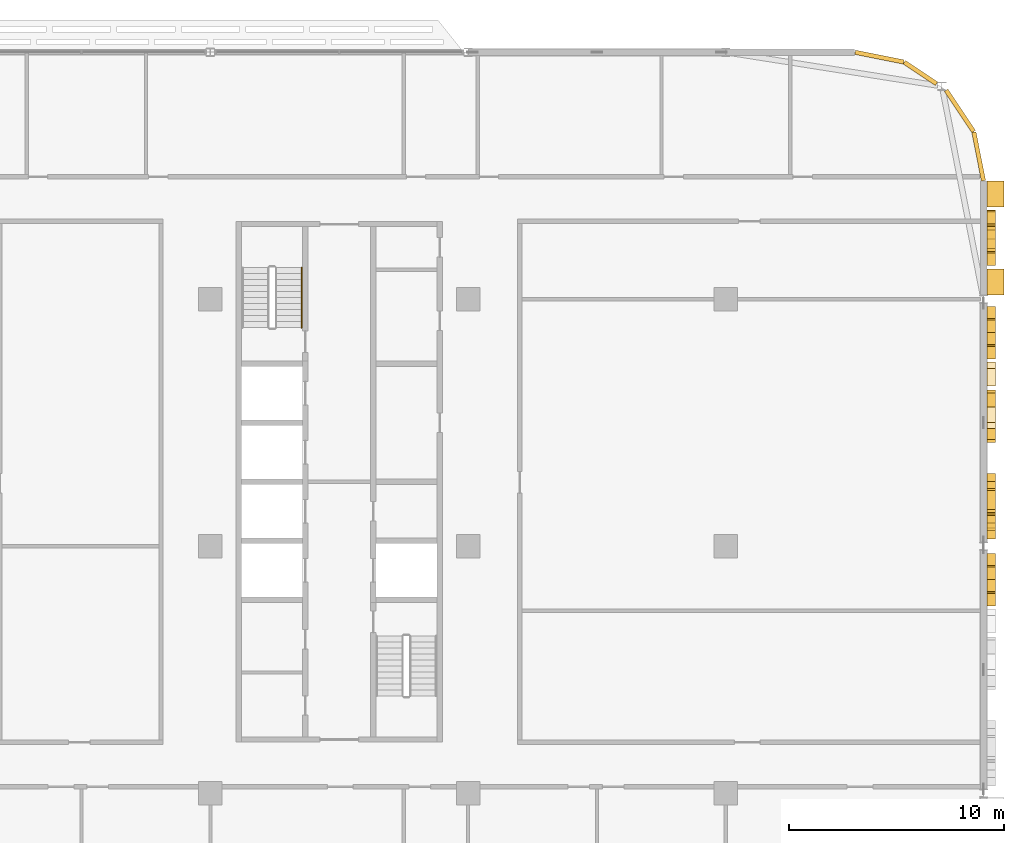
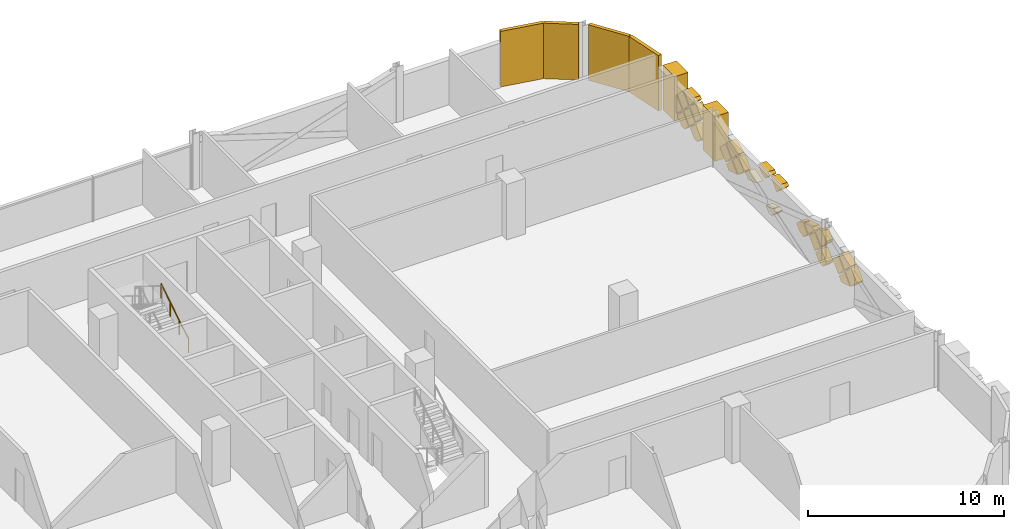
# One storey, part 29 of 29: 30 coverings, 1 railing.
"""IFC4 building model written with IfcOpenShell, lengths in metres."""

from ifc_helpers import new_model, si_unit, direction, frame, origin, origin_2d, place, context, subcontext, project, spatial, polyline, rectangle, circle, outline, extrude, material, layer, layer_set, type_object, element, save


model = new_model("IFC4")

# Units and contexts
model_context = context("Model", 3, precision=1e-05, world=origin(), true_north=direction((0.0, 1.0)))
body_context = subcontext(model_context, "Body", "Model", "MODEL_VIEW")
ifc_project = project(units=[si_unit("LENGTHUNIT", "METRE"), si_unit("AREAUNIT", "SQUARE_METRE"), si_unit("VOLUMEUNIT", "CUBIC_METRE"), si_unit("PLANEANGLEUNIT", "RADIAN"), si_unit("MASSUNIT", "GRAM", prefix="KILO")], contexts=[model_context])

# Site, building, storey
site_placement = place(None, origin())
site = spatial("IfcSite", under=ifc_project, at=site_placement, CompositionType="ELEMENT")
building_placement = place(site_placement, origin())
building = spatial("IfcBuilding", under=site, at=building_placement, Name="Mahtab Terrace Research Tower", CompositionType="ELEMENT")
storey_placement = place(building_placement, frame((0.0, 0.0, 197.699951171875)))
storey = spatial("IfcBuildingStorey", under=building, at=storey_placement, Name="L47", CompositionType="ELEMENT", Elevation=197.699951171875)

# Coverings
ifc_material_1 = material(Name="Black aluminium cladding panel", Category="aluminium")
ifc_layer_1 = layer(ifc_material_1, 0.199951171875)
ifc_layer_set_1 = layer_set([ifc_layer_1], Name="Black metal corner cladding 200")
covering_type_1 = type_object("IfcCoveringType", Name="Black metal corner cladding 200", PredefinedType="CLADDING", material=ifc_layer_set_1)
covering_1_placement = place(storey_placement, frame((52.89306640625, 20.26953125, 0.0), z_axis=(0.0, 0.0, 1.0), x_axis=(-0.555291490808, 0.831655794326, 0.0)))
element("IfcCovering", 1, at=covering_1_placement, inside=storey, type_object=covering_type_1, Name="Corner cladding L47 0", PredefinedType="CLADDING", context=body_context, shape_type="SweptSolid", body=[
    extrude(rectangle(XDim=2.30126953125, YDim=0.199951171875, at=origin_2d()), origin(), (0.0, 0.0, 1.0), 3.4599609375),
])
covering_2_placement = place(storey_placement, frame((51.059814453125, 22.032958984375, 0.0), z_axis=(0.0, 0.0, 1.0), x_axis=(-0.831655794326, 0.555291490808, 0.0)))
element("IfcCovering", 2, at=covering_2_placement, inside=storey, type_object=covering_type_1, Name="Corner cladding L47 1", PredefinedType="CLADDING", context=body_context, shape_type="SweptSolid", body=[
    extrude(rectangle(XDim=1.797119140625, YDim=0.199951171875, at=origin_2d()), origin(), (0.0, 0.0, 1.0), 3.4599609375),
])
for number, where, z_axis, x_axis, name in (
    (3, (49.14794921875, 22.771484375, 0.0), (0.0, 0.0, 1.0), (-0.980760981187, 0.195212442692, 0.0), "Corner cladding L47 2"),
    (4, (53.771484375, 18.14794921875, 0.0), (0.0, 0.0, 1.0), (-0.195212442692, 0.980760981187, 0.0), "Corner cladding L47 39"),
):
    element("IfcCovering", number, at=place(storey_placement, frame(where, z_axis=z_axis, x_axis=x_axis)), inside=storey, type_object=covering_type_1, Name=name, PredefinedType="CLADDING", context=body_context, shape_type="SweptSolid", body=[
        extrude(rectangle(XDim=2.30126953125, YDim=0.199951171875, at=origin_2d()), origin(), (0.0, 0.0, 1.0), 3.4599609375),
    ])
ifc_material_2 = material(Name="Bronze anodised aluminium", Category="aluminium")
ifc_layer_2 = layer(ifc_material_2, 0.39990234375)
ifc_layer_set_2 = layer_set([ifc_layer_2], Name="Mashrabiya relief panel 400")
covering_type_2 = type_object("IfcCoveringType", Name="Mashrabiya relief panel 400", PredefinedType="CLADDING", material=ifc_layer_set_2)
covering_3_placement = place(storey_placement, frame((54.14990234375, -2.199951171875, 1.780029296875), z_axis=(-1.0, 0.0, 0.0), x_axis=(0.0, 0.706957932274, -0.707255598772)))
element("IfcCovering", 5, at=covering_3_placement, inside=storey, type_object=covering_type_2, Name="Mashrabiya lattice cell L47 E36.10", PredefinedType="CLADDING", context=body_context, shape_type="SweptSolid", body=[
    extrude(outline(polyline([(0.0, 0.0), (0.8201817362875763, 0.0), (0.8203543334390104, 0.8200090664636573), (0.00017266982391900276, 0.8203543334390104), (0.0, 0.0)])), origin(), (0.0, 0.0, -1.0), 0.39990234375),
])
covering_4_placement = place(storey_placement, frame((54.14990234375, -1.550048828125, 1.130126953125), z_axis=(-1.0, 0.0, 0.0), x_axis=(0.0, 0.707106781187, -0.707106781187)))
element("IfcCovering", 6, at=covering_4_placement, inside=storey, type_object=covering_type_2, Name="Mashrabiya lattice cell L47 E36.11", PredefinedType="CLADDING", context=body_context, shape_type="SweptSolid", body=[
    extrude(outline(polyline([(0.0, 0.0), (0.8203543516109556, 0.0), (0.8203543516109556, 0.3663282689643198), (0.0, 0.7792675806338075), (0.0, 0.0)])), origin(), (0.0, 0.0, -1.0), 0.39990234375),
])
covering_5_placement = place(storey_placement, frame((54.14990234375, -0.969970703125, 1.85009765625), z_axis=(-1.0, 0.0, 0.0), x_axis=(0.0, -0.707106781187, -0.707106781187)))
element("IfcCovering", 7, at=covering_5_placement, inside=storey, type_object=covering_type_2, Name="Mashrabiya lattice cell L47 E36.12", PredefinedType="CLADDING", context=body_context, shape_type="SweptSolid", body=[
    extrude(outline(polyline([(0.0, 0.0), (0.8203543516109556, 0.0), (0.820181718119455, 0.820181718119455), (0.0, 0.4115582437374828), (0.0, 0.0)])), origin(), (0.0, 0.0, -1.0), 0.39990234375),
])
covering_6_placement = place(storey_placement, frame((54.14990234375, -0.89990234375, 0.6201171875), z_axis=(-1.0, 0.0, 0.0), x_axis=(0.0, -0.707255598772, 0.706957932274)))
element("IfcCovering", 8, at=covering_6_placement, inside=storey, type_object=covering_type_2, Name="Mashrabiya lattice cell L47 E36.13", PredefinedType="CLADDING", context=body_context, shape_type="SweptSolid", body=[
    extrude(outline(polyline([(0.0, 0.0), (0.8201817362875763, 0.0), (0.8200090664636573, 0.8203543334390104), (0.02106128549654024, 0.82018616930915), (-0.0001681641298604819, 0.798947780967117), (0.0, 0.0)])), origin(), (0.0, 0.0, -1.0), 0.39990234375),
])
covering_7_placement = place(storey_placement, frame((54.14990234375, 0.3349609375, 0.485107421875), z_axis=(-1.0, 0.0, 0.0), x_axis=(0.0, 0.0, 1.0)))
element("IfcCovering", 9, at=covering_7_placement, inside=storey, type_object=covering_type_2, Name="Mashrabiya lattice cell L47 E37.1", PredefinedType="CLADDING", context=body_context, shape_type="SweptSolid", body=[
    extrude(outline(polyline([(0.0, 0.0), (0.1298828125, 0.0), (0.64501953125, 0.51513671875), (0.06494140625, 1.094970703125), (-0.22314453125, 0.80712890625), (-0.35009765625, 0.424072265625), (-0.35009765625, 0.35009765625), (0.0, 0.0)])), origin(), (0.0, 0.0, -1.0), 0.39990234375),
])
covering_8_placement = place(storey_placement, frame((54.14990234375, 1.429931640625, 1.85009765625), z_axis=(-1.0, 0.0, 0.0), x_axis=(0.0, -0.706957932274, -0.707255598772)))
element("IfcCovering", 10, at=covering_8_placement, inside=storey, type_object=covering_type_2, Name="Mashrabiya lattice cell L47 E37.2", PredefinedType="CLADDING", context=body_context, shape_type="SweptSolid", body=[
    extrude(outline(polyline([(0.0, 0.0), (0.8201817362875763, 0.0), (0.8200283973446179, 0.7285133179950809), (0.7281680510197277, 0.8203350025580498), (0.1624481482398848, 0.8200432952040049), (-0.00010443036067825373, 0.4961486435824318), (0.0, 0.0)])), origin(), (0.0, 0.0, -1.0), 0.39990234375),
])
covering_9_placement = place(storey_placement, frame((54.14990234375, 1.5, 1.780029296875), z_axis=(-1.0, 0.0, 0.0), x_axis=(0.0, 0.707106781187, -0.707106781187)))
element("IfcCovering", 11, at=covering_9_placement, inside=storey, type_object=covering_type_2, Name="Mashrabiya lattice cell L47 E37.3", PredefinedType="CLADDING", context=body_context, shape_type="SweptSolid", body=[
    extrude(outline(polyline([(0.0, 0.0), (0.8203543516109556, 0.0), (0.820181718119455, 0.820181718119455), (0.0, 0.8203543516109556), (0.0, 0.0)])), origin(), (0.0, 0.0, -1.0), 0.39990234375),
])
covering_10_placement = place(storey_placement, frame((54.14990234375, 2.14990234375, 1.27001953125), z_axis=(-1.0, 0.0, 0.0), x_axis=(0.0, -0.706957932274, 0.707255598772)))
element("IfcCovering", 12, at=covering_10_placement, inside=storey, type_object=covering_type_2, Name="Mashrabiya lattice cell L47 E37.4", PredefinedType="CLADDING", context=body_context, shape_type="SweptSolid", body=[
    extrude(outline(polyline([(0.0, 0.0), (0.8201817362875763, 0.0), (0.8202239590012534, 0.2006001126801621), (0.00012921167800000743, 0.6138846821778454), (0.0, 0.0)])), origin(), (0.0, 0.0, -1.0), 0.39990234375),
])
covering_11_placement = place(storey_placement, frame((54.14990234375, 2.219970703125, 1.199951171875), z_axis=(-1.0, 0.0, 0.0), x_axis=(0.0, 0.707106781187, 0.707106781187)))
element("IfcCovering", 13, at=covering_11_placement, inside=storey, type_object=covering_type_2, Name="Mashrabiya lattice cell L47 E37.5", PredefinedType="CLADDING", context=body_context, shape_type="SweptSolid", body=[
    extrude(outline(polyline([(0.0, 0.0), (0.6632578743453896, 0.0), (0.8203543516109556, 0.31246661961612576), (0.820181718119455, 0.820181718119455), (0.4003370667899423, 0.820181718119455), (0.0, 0.6194089675042316), (0.0, 0.0)])), origin(), (0.0, 0.0, -1.0), 0.39990234375),
])
covering_12_placement = place(storey_placement, frame((54.14990234375, 5.97998046875, 2.5), z_axis=(-1.0, 0.0, 0.0), x_axis=(0.0, -0.707255598772, -0.706957932274)))
element("IfcCovering", 14, at=covering_12_placement, inside=storey, type_object=covering_type_2, Name="Mashrabiya lattice cell L47 E37.6", PredefinedType="CLADDING", context=body_context, shape_type="SweptSolid", body=[
    extrude(outline(polyline([(0.0, 0.0), (0.8201817362875763, 0.0), (0.8203543334390104, 0.8200090664636573), (0.6125036142764329, 0.8200528152995156), (4.374883585826772e-05, 0.20785071916257758), (0.0, 0.0)])), origin(), (0.0, 0.0, -1.0), 0.39990234375),
])
covering_13_placement = place(storey_placement, frame((54.14990234375, 5.469970703125, 0.550048828125), z_axis=(-1.0, 0.0, 0.0), x_axis=(0.0, 0.707106781187, 0.707106781187)))
element("IfcCovering", 15, at=covering_13_placement, inside=storey, type_object=covering_type_2, Name="Mashrabiya lattice cell L47 E37.7", PredefinedType="CLADDING", context=body_context, shape_type="SweptSolid", body=[
    extrude(outline(polyline([(0.0, 0.0), (0.031074028470111953, 0.0), (0.2736240840284858, 0.12239714547394098), (0.6251058727237521, 0.820181718119455), (0.23340048050884088, 0.8203543516109556), (0.0, 0.5869538711021147), (0.0, 0.0)])), origin(), (0.0, 0.0, -1.0), 0.39990234375),
])
covering_14_placement = place(storey_placement, frame((54.14990234375, 6.1201171875, 2.5), z_axis=(-1.0, 0.0, 0.0), x_axis=(0.0, 0.707106781187, 0.707106781187)))
element("IfcCovering", 16, at=covering_14_placement, inside=storey, type_object=covering_type_2, Name="Mashrabiya lattice cell L47 E37.8", PredefinedType="CLADDING", context=body_context, shape_type="SweptSolid", body=[
    extrude(outline(polyline([(0.0, 0.0), (0.20785072376674885, 0.0), (0.820181718119455, 0.6123309943527061), (0.820181718119455, 0.820181718119455), (0.3761683779798553, 0.8201817181194551), (-0.0001726334915005956, 0.6306301444517721), (0.0, 0.0)])), origin(), (0.0, 0.0, -1.0), 0.39990234375),
])
covering_15_placement = place(storey_placement, frame((54.14990234375, 8.580078125, 1.199951171875), z_axis=(-1.0, 0.0, 0.0), x_axis=(0.0, -0.707433615792, -0.706779795444)))
element("IfcCovering", 17, at=covering_15_placement, inside=storey, type_object=covering_type_2, Name="Mashrabiya lattice cell L47 E37.9", PredefinedType="CLADDING", context=body_context, shape_type="SweptSolid", body=[
    extrude(outline(polyline([(0.0, 0.0), (0.3734062820218745, -2.7755575615628914e-17), (0.7810232029196996, 0.8099806123937859), (0.00019298554685065472, 0.41742773783788517), (0.0, 0.0)])), origin(), (0.0, 0.0, -1.0), 0.39990234375),
])
covering_16_placement = place(storey_placement, frame((54.14990234375, 9.300048828125, 1.780029296875), z_axis=(-1.0, 0.0, 0.0), x_axis=(0.0, 0.706957932274, -0.707255598772)))
element("IfcCovering", 18, at=covering_16_placement, inside=storey, type_object=covering_type_2, Name="Mashrabiya lattice cell L47 E37.10", PredefinedType="CLADDING", context=body_context, shape_type="SweptSolid", body=[
    extrude(outline(polyline([(0.0, 0.0), (0.8201817362875763, 0.0), (0.8203543334390104, 0.8200090664636573), (0.00017266982391900276, 0.8203543334390104), (0.0, 0.0)])), origin(), (0.0, 0.0, -1.0), 0.39990234375),
])
covering_17_placement = place(storey_placement, frame((54.14990234375, 9.949951171875, 1.130126953125), z_axis=(-1.0, 0.0, 0.0), x_axis=(0.0, 0.707106781187, -0.707106781187)))
element("IfcCovering", 19, at=covering_17_placement, inside=storey, type_object=covering_type_2, Name="Mashrabiya lattice cell L47 E37.11", PredefinedType="CLADDING", context=body_context, shape_type="SweptSolid", body=[
    extrude(outline(polyline([(0.0, 0.0), (0.8203543516109556, 0.0), (0.8203543516109556, 0.3663282689643198), (0.0, 0.7792675806338075), (0.0, 0.0)])), origin(), (0.0, 0.0, -1.0), 0.39990234375),
])
covering_18_placement = place(storey_placement, frame((54.14990234375, 10.530029296875, 1.85009765625), z_axis=(-1.0, 0.0, 0.0), x_axis=(0.0, -0.707106781187, -0.707106781187)))
element("IfcCovering", 20, at=covering_18_placement, inside=storey, type_object=covering_type_2, Name="Mashrabiya lattice cell L47 E37.12", PredefinedType="CLADDING", context=body_context, shape_type="SweptSolid", body=[
    extrude(outline(polyline([(0.0, 0.0), (0.8203543516109556, 0.0), (0.820181718119455, 0.820181718119455), (0.0, 0.4115582437374828), (0.0, 0.0)])), origin(), (0.0, 0.0, -1.0), 0.39990234375),
])
covering_19_placement = place(storey_placement, frame((54.14990234375, 10.60009765625, 0.6201171875), z_axis=(-1.0, 0.0, 0.0), x_axis=(0.0, -0.707255598772, 0.706957932274)))
element("IfcCovering", 21, at=covering_19_placement, inside=storey, type_object=covering_type_2, Name="Mashrabiya lattice cell L47 E37.13", PredefinedType="CLADDING", context=body_context, shape_type="SweptSolid", body=[
    extrude(outline(polyline([(0.0, 0.0), (0.8201817362875763, 0.0), (0.8200090664636573, 0.8203543334390104), (0.02106128549654024, 0.82018616930915), (-0.0001681641298604819, 0.798947780967117), (0.0, 0.0)])), origin(), (0.0, 0.0, -1.0), 0.39990234375),
])
covering_20_placement = place(storey_placement, frame((54.14990234375, 13.070068359375, 0.550048828125), z_axis=(-1.0, 0.0, 0.0), x_axis=(0.0, 0.706957932274, 0.707255598772)))
element("IfcCovering", 22, at=covering_20_placement, inside=storey, type_object=covering_type_2, Name="Mashrabiya lattice cell L47 E38.1", PredefinedType="CLADDING", context=body_context, shape_type="SweptSolid", body=[
    extrude(outline(polyline([(0.0, 0.0), (0.8201817362875763, 0.0), (0.8200090664636573, 0.8203543334390104), (0.23305520836335525, 0.820230790214826), (-0.00012354322418450803, 0.5869538581003021), (0.0, 0.0)])), origin(), (0.0, 0.0, -1.0), 0.39990234375),
])
covering_21_placement = place(storey_placement, frame((54.14990234375, 13.64990234375, 2.429931640625), z_axis=(-1.0, 0.0, 0.0), x_axis=(0.0, 0.707255598772, -0.706957932274)))
element("IfcCovering", 23, at=covering_21_placement, inside=storey, type_object=covering_type_2, Name="Mashrabiya lattice cell L47 E38.2", PredefinedType="CLADDING", context=body_context, shape_type="SweptSolid", body=[
    extrude(outline(polyline([(0.0, 0.0), (0.8201817362875763, 0.0), (0.8200090664636573, 0.8203543334390104), (-0.00017259715143413956, 0.8200090664636573), (0.0, 0.0)])), origin(), (0.0, 0.0, -1.0), 0.39990234375),
])
covering_22_placement = place(storey_placement, frame((54.14990234375, 14.300048828125, 1.780029296875), z_axis=(-1.0, 0.0, 0.0), x_axis=(0.0, 0.706957932274, -0.707255598772)))
element("IfcCovering", 24, at=covering_22_placement, inside=storey, type_object=covering_type_2, Name="Mashrabiya lattice cell L47 E38.3", PredefinedType="CLADDING", context=body_context, shape_type="SweptSolid", body=[
    extrude(outline(polyline([(0.0, 0.0), (0.8201817362875763, 0.0), (0.8203543334390104, 0.8200090664636573), (0.00017266982391900276, 0.8203543334390104), (0.0, 0.0)])), origin(), (0.0, 0.0, -1.0), 0.39990234375),
])
covering_23_placement = place(storey_placement, frame((54.14990234375, 14.8798828125, 2.5), z_axis=(-1.0, 0.0, 0.0), x_axis=(0.0, -0.707106781187, -0.707106781187)))
element("IfcCovering", 25, at=covering_23_placement, inside=storey, type_object=covering_type_2, Name="Mashrabiya lattice cell L47 E38.4", PredefinedType="CLADDING", context=body_context, shape_type="SweptSolid", body=[
    extrude(outline(polyline([(0.0, 0.0), (0.8200090846279543, 0.0), (0.820181718119455, 0.820181718119455), (0.6123309943527061, 0.820181718119455), (0.0, 0.20785072376674885), (0.0, 0.0)])), origin(), (0.0, 0.0, -1.0), 0.39990234375),
])
covering_24_placement = place(storey_placement, frame((54.14990234375, 14.3701171875, 0.550048828125), z_axis=(-1.0, 0.0, 0.0), x_axis=(0.0, 0.706957932274, 0.707255598772)))
element("IfcCovering", 26, at=covering_24_placement, inside=storey, type_object=covering_type_2, Name="Mashrabiya lattice cell L47 E38.5", PredefinedType="CLADDING", context=body_context, shape_type="SweptSolid", body=[
    extrude(outline(polyline([(0.0, 0.0), (0.8201817362875763, 0.0), (0.8200090664636573, 0.8203543334390104), (0.23305520836335525, 0.820230790214826), (-0.0002961403756186476, 0.5867811882763831), (0.0, 0.0)])), origin(), (0.0, 0.0, -1.0), 0.39990234375),
])
covering_25_placement = place(storey_placement, frame((54.14990234375, 14.949951171875, 2.429931640625), z_axis=(-1.0, 0.0, 0.0), x_axis=(0.0, 0.707255598772, -0.706957932274)))
element("IfcCovering", 27, at=covering_25_placement, inside=storey, type_object=covering_type_2, Name="Mashrabiya lattice cell L47 E38.6", PredefinedType="CLADDING", context=body_context, shape_type="SweptSolid", body=[
    extrude(outline(polyline([(0.0, 0.0), (0.8201817362875763, 0.0), (0.8200090664636573, 0.8203543334390104), (-0.00017259715143413956, 0.8200090664636573), (0.0, 0.0)])), origin(), (0.0, 0.0, -1.0), 0.39990234375),
])
covering_26_placement = place(storey_placement, frame((54.14990234375, 15.60009765625, 0.6201171875), z_axis=(-1.0, 0.0, 0.0), x_axis=(0.0, -0.707255598772, 0.706957932274)))
element("IfcCovering", 28, at=covering_26_placement, inside=storey, type_object=covering_type_2, Name="Mashrabiya lattice cell L47 E38.7", PredefinedType="CLADDING", context=body_context, shape_type="SweptSolid", body=[
    extrude(outline(polyline([(0.0, 0.0), (0.8201817362875763, 0.0), (0.8200090664636573, 0.8203543334390104), (0.7281680510197277, 0.8203350025580498), (-1.9330880960628793e-05, 0.09184101544392961), (0.0, 0.0)])), origin(), (0.0, 0.0, -1.0), 0.39990234375),
])
ifc_material_3 = material(Name="Glazed ceramic tile cladding", Category="masonry")
ifc_layer_3 = layer(ifc_material_3, 0.800048828125)
ifc_layer_set_3 = layer_set([ifc_layer_3], Name="Pishtaq frame pier 800")
covering_type_3 = type_object("IfcCoveringType", Name="Pishtaq frame pier 800", PredefinedType="CLADDING", material=ifc_layer_set_3)
for number, where, z_axis, x_axis, name in (
    (29, (54.550048828125, 12.300048828125, 0.0), (0.0, 0.0, 1.0), (0.0, 1.0, 0.0), "Pishtaq frame pier 38a"),
    (30, (54.550048828125, 16.39990234375, 0.0), (0.0, 0.0, 1.0), (0.0, 1.0, 0.0), "Pishtaq frame pier 38b"),
):
    element("IfcCovering", number, at=place(storey_placement, frame(where, z_axis=z_axis, x_axis=x_axis)), inside=storey, type_object=covering_type_3, Name=name, PredefinedType="CLADDING", context=body_context, shape_type="SweptSolid", body=[
        extrude(rectangle(XDim=1.199951171875, YDim=0.800048828125, at=origin_2d()), origin(), (0.0, 0.0, 1.0), 2.781982421875),
    ])

# Railing
ifc_material_4 = material(Name="Stainless steel AISI 304", Category="steel")
railing_type = type_object("IfcRailingType", Name="Stair handrail 900", PredefinedType="HANDRAIL", material=ifc_material_4)
railing_placement = place(storey_placement, frame((22.25, 10.175048828125, 0.1728515625)))
element("IfcRailing", 31, at=railing_placement, inside=storey, type_object=railing_type, Name="L47 ST3 stair handrail 1", PredefinedType="HANDRAIL", context=body_context, shape_type="SweptSolid", body=[
    extrude(circle(Radius=0.02392578125, at=origin_2d()), frame((0.0, 0.0, 0.8759765625), z_axis=(0.0, 0.851089632645, 0.525020415988), x_axis=(-1.0, 0.0, 0.0)), (0.0, 0.0, 1.0), 3.2900390625),
    extrude(circle(Radius=0.02099609375, at=origin_2d()), origin(), (0.0, 0.0, 1.0), 0.851806640625),
    extrude(circle(Radius=0.02099609375, at=origin_2d()), frame((0.0, 0.933349609375, 0.57568359375)), (0.0, 0.0, 1.0), 0.851806640625),
    extrude(circle(Radius=0.02099609375, at=origin_2d()), frame((0.0, 1.86669921875, 1.151611328125)), (0.0, 0.0, 1.0), 0.851806640625),
    extrude(circle(Radius=0.02099609375, at=origin_2d()), frame((0.0, 2.800048828125, 1.727294921875)), (0.0, 0.0, 1.0), 0.851806640625),
])

save(model, "model.ifc")
